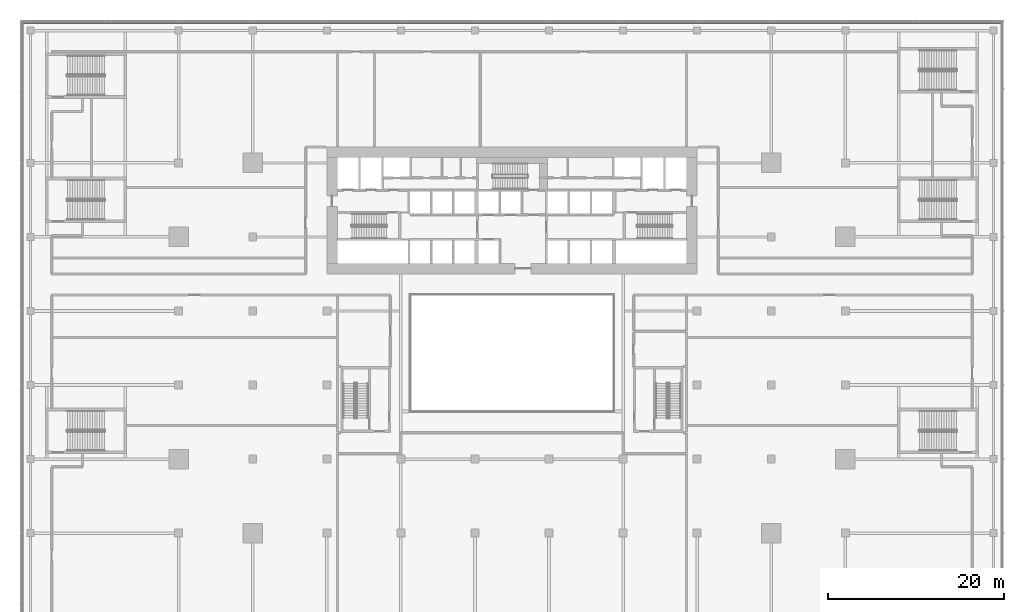
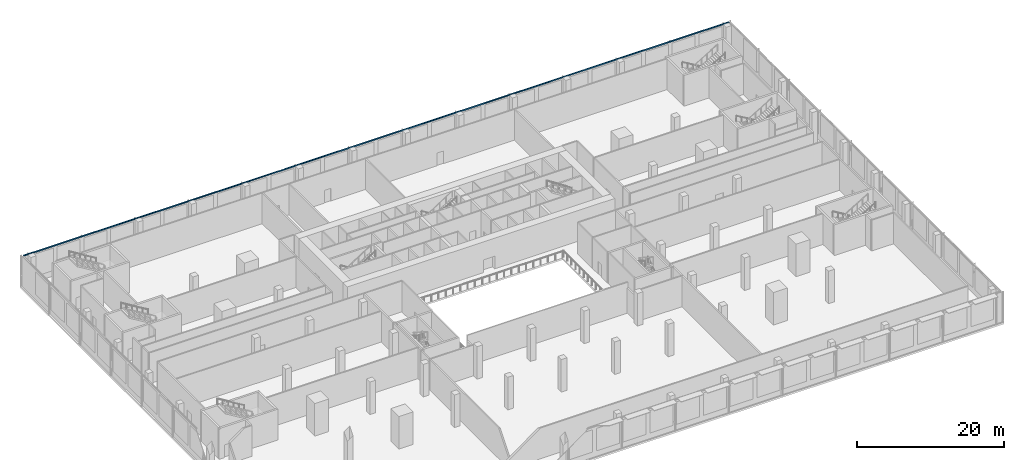
# One storey, part 19 of 39: 1 member, 1 element without a shape of its own.
"""IFC4 building model written with IfcOpenShell, lengths in metres."""

from ifc_helpers import new_model, si_unit, direction, frame, origin, origin_2d, place, context, subcontext, project, spatial, rectangle, extrude, material, material_profile, profile_set, type_object, element, aggregate, save


model = new_model("IFC4")

# Units and contexts
model_context = context("Model", 3, precision=1e-05, world=origin(), true_north=direction((0.0, 1.0)))
body_context = subcontext(model_context, "Body", "Model", "MODEL_VIEW")
ifc_project = project(units=[si_unit("LENGTHUNIT", "METRE"), si_unit("AREAUNIT", "SQUARE_METRE"), si_unit("VOLUMEUNIT", "CUBIC_METRE"), si_unit("PLANEANGLEUNIT", "RADIAN"), si_unit("MASSUNIT", "GRAM", prefix="KILO")], contexts=[model_context])

# Site, building, storey
site_placement = place(None, origin())
site = spatial("IfcSite", under=ifc_project, at=site_placement, CompositionType="ELEMENT")
building_placement = place(site_placement, origin())
building = spatial("IfcBuilding", under=site, at=building_placement, Name="Saffron Gate Tower", CompositionType="ELEMENT")
storey_placement = place(building_placement, frame((0.0, 0.0, 9.0)))
storey = spatial("IfcBuildingStorey", under=building, at=storey_placement, Name="L01", CompositionType="ELEMENT", Elevation=9.0)

# Curtain wall, member
ifc_material = material(Name="Aluminium, bronze anodised", Category="aluminium")
curtain_wall_type = type_object("IfcCurtainWallType", Name="CWS5 curtain wall podium ring base", PredefinedType="NOTDEFINED", material=ifc_material)
curtain_wall_placement = place(storey_placement, origin())
curtain_wall = element("IfcCurtainWall", 1, at=curtain_wall_placement, inside=storey, type_object=curtain_wall_type, Name="CWS5 run 3", PredefinedType="NOTDEFINED")
ifc_material_profile = material_profile(ifc_material, rectangle(XDim=0.1201171875, YDim=0.1201171875, at=origin_2d()))
ifc_profile_set = profile_set([ifc_material_profile], Name="Aluminium, bronze anodised")
member_type = type_object("IfcMemberType", Name="CWS5 head transom", PredefinedType="USERDEFINED", material=ifc_profile_set)
member_placement = place(storey_placement, frame((142.991943359375, 89.7119140625, 5.0400390625), z_axis=(-1.0, 0.0, 0.0), x_axis=(0.0, -1.0, 0.0)))
member = element("IfcMember", 2, at=member_placement, type_object=member_type, Name="CWS5 head transom", ObjectType="TRANSOM", PredefinedType="USERDEFINED", context=body_context, shape_type="SweptSolid", body=[
    extrude(rectangle(XDim=0.1201171875, YDim=0.1201171875, at=origin_2d()), origin(), (0.0, 0.0, 1.0), 110.783935546875),
])
aggregate(curtain_wall, [member])

save(model, "model.ifc")
